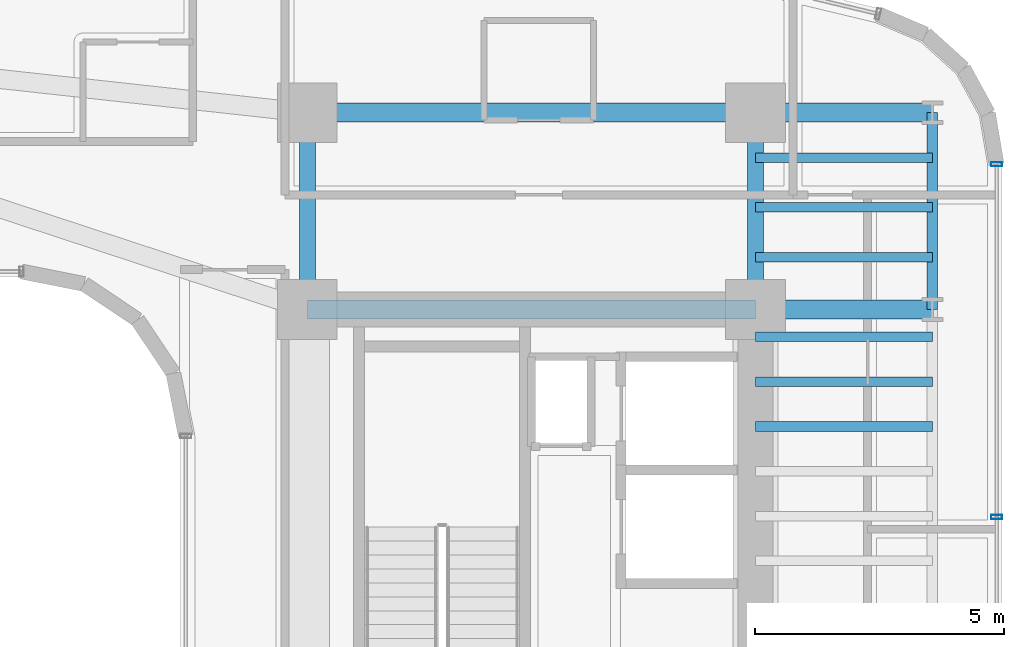
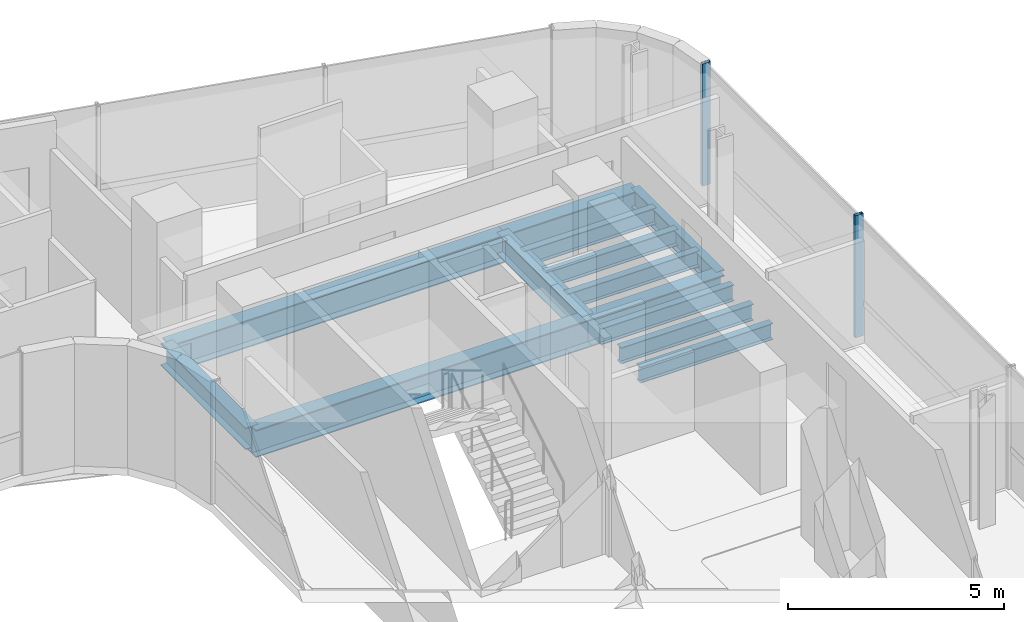
# One storey, part 17 of 35: 13 beams, 2 members, 1 element without a shape of its own.
"""IFC4 building model written with IfcOpenShell, lengths in metres."""

import ifcopenshell
import ifcopenshell.guid

model = None  # the IFC model being written
_history = None  # IfcOwnerHistory: only IFC2X3 demands one
_inside = {}  # id of a spatial element -> (the spatial element, [elements in it])
_under = {}  # id of a project, library or spatial element -> (it, [spatial elements below it])
_declared = {}  # id of a project -> (the project, [libraries it declares])
_typed = {}  # id of a type object -> (the type object, [elements of that type])
_made_of = {}  # id of a material, layer set ... -> (it, [elements and type objects made of it])


def new_model(schema):
    """Start an empty IFC model of exactly this schema.

    Asked for "IFC4X3", IfcOpenShell would pick the latest addendum, in which some entities
    have other attributes; the version numbers below select the first issue.
    IFC2X3 requires an IfcOwnerHistory on every rooted entity: one is made here for all.
    """
    global model, _history
    if schema == "IFC4X3":
        model = ifcopenshell.file(schema_version=(4, 3, 0, 0))
    else:
        model = ifcopenshell.file(schema=schema)
    _inside.clear()
    _under.clear()
    _declared.clear()
    _typed.clear()
    _made_of.clear()
    _history = None
    if model.schema == "IFC2X3":
        org = make("IfcOrganization", Name="unknown")
        user = make(
            "IfcPersonAndOrganization",
            ThePerson=make("IfcPerson", FamilyName="unknown"),
            TheOrganization=org,
        )
        app = make(
            "IfcApplication",
            ApplicationDeveloper=org,
            Version="unknown",
            ApplicationFullName="unknown",
            ApplicationIdentifier="unknown",
        )
        _history = make(
            "IfcOwnerHistory",
            OwningUser=user,
            OwningApplication=app,
            ChangeAction="ADDED",
            CreationDate=0,
        )
    return model


def make(cls, **values):
    """One entity of the class cls with the attributes given. An attribute that is None is left unset."""
    return model.create_entity(
        cls, **{name: value for name, value in values.items() if value is not None}
    )


def rooted(cls, **values):
    """An entity with a GlobalId (a new one), such as an element, a storey or a relation."""
    return make(cls, GlobalId=ifcopenshell.guid.new(), OwnerHistory=_history, **values)


def si_unit(unit_type, name, prefix=None):
    """IfcSIUnit, for example si_unit("LENGTHUNIT", "METRE", prefix="MILLI")."""
    return make("IfcSIUnit", UnitType=unit_type, Prefix=prefix, Name=name)


def assignment(units):
    """IfcUnitAssignment: the units of a project."""
    return None if units is None else make("IfcUnitAssignment", Units=units)


def point(xyz):
    """IfcCartesianPoint."""
    return None if xyz is None else make("IfcCartesianPoint", Coordinates=xyz)


def direction(xyz):
    """IfcDirection."""
    return None if xyz is None else make("IfcDirection", DirectionRatios=xyz)


def frame(location, z_axis=None, x_axis=None):
    """IfcAxis2Placement3D, a coordinate frame: its origin and axes. An axis left out is left unset."""
    return make(
        "IfcAxis2Placement3D",
        Location=point(location),
        Axis=direction(z_axis),
        RefDirection=direction(x_axis),
    )


def frame_2d(location, x_axis=None):
    """IfcAxis2Placement2D, a coordinate frame in the plane: its origin and x axis."""
    return make(
        "IfcAxis2Placement2D", Location=point(location), RefDirection=direction(x_axis)
    )


def origin():
    """The frame at (0, 0, 0) with its axes left unset."""
    return frame((0.0, 0.0, 0.0))


def origin_2d():
    """The frame at (0, 0) in the plane with its x axis left unset."""
    return frame_2d((0.0, 0.0))


def place(relative_to, where):
    """IfcLocalPlacement: puts the frame where relative to a parent placement (None: the world)."""
    return make(
        "IfcLocalPlacement", PlacementRelTo=relative_to, RelativePlacement=where
    )


def context(
    kind, dimensions, precision=None, world=None, true_north=None, identifier=None
):
    """IfcGeometricRepresentationContext, for example the 3D "Model" context."""
    return make(
        "IfcGeometricRepresentationContext",
        ContextIdentifier=identifier,
        ContextType=kind,
        CoordinateSpaceDimension=dimensions,
        Precision=precision,
        WorldCoordinateSystem=world,
        TrueNorth=true_north,
    )


def subcontext(parent, identifier, kind, view, scale=None):
    """IfcGeometricRepresentationSubContext, for example "Body" below "Model"."""
    return make(
        "IfcGeometricRepresentationSubContext",
        ContextIdentifier=identifier,
        ContextType=kind,
        ParentContext=parent,
        TargetScale=scale,
        TargetView=view,
    )


def project(units=None, contexts=None):
    """IfcProject with its units and contexts."""
    return rooted(
        "IfcProject",
        Name="project",
        RepresentationContexts=contexts,
        UnitsInContext=assignment(units),
    )


def spatial(cls, under=None, at=None, **own):
    """A site, building, storey or space (cls), placed at a placement, below another one or the project."""
    s = rooted(cls, ObjectPlacement=at, **own)
    if under is not None:
        _under.setdefault(under.id(), (under, []))[1].append(s)
    return s


def profile(cls, at=None, kind="AREA", **sizes):
    """A parametric profile (cls). Its sizes go by their IFC names, for example OverallWidth=200.0."""
    return make(cls, ProfileType=kind, Position=at, **sizes)


def hollow_rectangle(**sizes):
    """IfcRectangleHollowProfileDef."""
    return profile("IfcRectangleHollowProfileDef", **sizes)


def i_section(**sizes):
    """IfcIShapeProfileDef."""
    return profile("IfcIShapeProfileDef", **sizes)


def extrude(swept, where, along, depth):
    """IfcExtrudedAreaSolid: the profile swept, set in the frame where, extruded along a direction by depth."""
    return make(
        "IfcExtrudedAreaSolid",
        SweptArea=swept,
        Position=where,
        ExtrudedDirection=direction(along),
        Depth=depth,
    )


def shape(context_of_items, identifier, shape_type, items):
    """IfcShapeRepresentation: the items that make up one representation, for example the "Body"."""
    return make(
        "IfcShapeRepresentation",
        ContextOfItems=context_of_items,
        RepresentationIdentifier=identifier,
        RepresentationType=shape_type,
        Items=items,
    )


def source(mapping_origin, context_of_items, identifier, shape_type, items):
    """IfcRepresentationMap: a shape defined once, which mapped items show again and again."""
    return make(
        "IfcRepresentationMap",
        MappingOrigin=mapping_origin,
        MappedRepresentation=shape(context_of_items, identifier, shape_type, items),
    )


def transform(
    local_origin,
    x_axis=None,
    y_axis=None,
    z_axis=None,
    scale=None,
    scale2=None,
    scale3=None,
    uniform=True,
):
    """IfcCartesianTransformationOperator3D, or its non-uniform kind. x_axis, y_axis, z_axis: its Axis1, 2, 3."""
    if uniform:
        return make(
            "IfcCartesianTransformationOperator3D",
            Axis1=direction(x_axis),
            Axis2=direction(y_axis),
            LocalOrigin=point(local_origin),
            Scale=scale,
            Axis3=direction(z_axis),
        )
    return make(
        "IfcCartesianTransformationOperator3DnonUniform",
        Axis1=direction(x_axis),
        Axis2=direction(y_axis),
        LocalOrigin=point(local_origin),
        Scale=scale,
        Axis3=direction(z_axis),
        Scale2=scale2,
        Scale3=scale3,
    )


def mapped(mapping_source, mapping_target):
    """IfcMappedItem: shows the shape of a source again, moved by a transform."""
    return make(
        "IfcMappedItem", MappingSource=mapping_source, MappingTarget=mapping_target
    )


def material(Name=None, Category=None):
    """IfcMaterial."""
    return make("IfcMaterial", Name=Name, Category=Category)


def material_profile(
    of_material, cross_section, Name=None, Category=None, Priority=None
):
    """IfcMaterialProfile: a cross section and its material."""
    return make(
        "IfcMaterialProfile",
        Name=Name,
        Material=of_material,
        Profile=cross_section,
        Priority=Priority,
        Category=Category,
    )


def profile_set(profiles, Name=None, composite=None):
    """IfcMaterialProfileSet."""
    return make(
        "IfcMaterialProfileSet",
        Name=Name,
        MaterialProfiles=profiles,
        CompositeProfile=composite,
    )


def made_of(thing, what):
    """Note that an element or type object is made of a material, layer set ...; save() writes the relation."""
    if what is not None:
        _made_of.setdefault(what.id(), (what, []))[1].append(thing)
    return thing


def type_object(cls, material=None, **own):
    """A type object (cls), such as IfcWallType, which elements share."""
    return made_of(rooted(cls, **own), material)


def element(
    cls,
    number,
    at=None,
    inside=None,
    cuts=None,
    type_object=None,
    material=None,
    context=None,
    identifier="Body",
    shape_type=None,
    held_by="IfcProductDefinitionShape",
    body=None,
    shapes=None,
    **own,
):
    """One element of the class cls, such as IfcWall. Its Tag is "e" and its number.

    at: its placement. inside: the storey or other place that contains it. cuts: it is an
    opening in that element (IfcRelVoidsElement). A single representation is given by context,
    identifier, shape_type and body (its items); several are given by shapes. held_by: the class
    of the entity that holds the representations. save() writes the other relations.
    """
    e = rooted(cls, Tag="e%d" % number, ObjectPlacement=at, **own)
    if body is not None:
        shapes = [shape(context, identifier, shape_type, body)]
    if shapes is not None:
        e.Representation = make(held_by, Representations=shapes)
    if inside is not None:
        _inside.setdefault(inside.id(), (inside, []))[1].append(e)
    if cuts is not None:
        rooted(
            "IfcRelVoidsElement", RelatingBuildingElement=cuts, RelatedOpeningElement=e
        )
    if type_object is not None:
        _typed.setdefault(type_object.id(), (type_object, []))[1].append(e)
    return made_of(e, material)


def aggregate(whole, parts):
    """IfcRelAggregates: a whole, such as a stair, and the parts it consists of."""
    return rooted("IfcRelAggregates", RelatingObject=whole, RelatedObjects=parts)


def save(model, path):
    """Write the relations noted so far, then the file.

    IfcRelAggregates (storeys below a building ...), IfcRelContainedInSpatialStructure (elements
    in a storey), IfcRelDefinesByType, IfcRelAssociatesMaterial and IfcRelDeclares: one each for
    every whole, place, type object, material and project.
    """
    for whole, parts in _under.values():
        aggregate(whole, parts)
    for where, things in _inside.values():
        rooted(
            "IfcRelContainedInSpatialStructure",
            RelatedElements=things,
            RelatingStructure=where,
        )
    for kind, things in _typed.values():
        rooted("IfcRelDefinesByType", RelatedObjects=things, RelatingType=kind)
    for what, things in _made_of.values():
        rooted("IfcRelAssociatesMaterial", RelatedObjects=things, RelatingMaterial=what)
    for by, libraries in _declared.values():
        rooted("IfcRelDeclares", RelatingContext=by, RelatedDefinitions=libraries)
    model.write(path)


model = new_model("IFC4")

# Units and contexts
model_context = context("Model", 3, precision=1e-05, world=origin(), true_north=direction((0.0, 1.0)))
body_context = subcontext(model_context, "Body", "Model", "MODEL_VIEW")
ifc_project = project(units=[si_unit("LENGTHUNIT", "METRE"), si_unit("AREAUNIT", "SQUARE_METRE"), si_unit("VOLUMEUNIT", "CUBIC_METRE"), si_unit("PLANEANGLEUNIT", "RADIAN"), si_unit("MASSUNIT", "GRAM", prefix="KILO")], contexts=[model_context])

# Site, building, storey
site_placement = place(None, origin())
site = spatial("IfcSite", under=ifc_project, at=site_placement, CompositionType="ELEMENT")
building_placement = place(site_placement, origin())
building = spatial("IfcBuilding", under=site, at=building_placement, Name="Valdorenza Pilgrim Sanctuary Tower", CompositionType="ELEMENT")
storey_placement = place(building_placement, frame((0.0, 0.0, 113.10009765625)))
storey = spatial("IfcBuildingStorey", under=building, at=storey_placement, Name="L28", CompositionType="ELEMENT", Elevation=113.10009765625)

# Beams
ifc_material_1 = material(Name="Steel ASTM A992 Grade 50", Category="steel")
ifc_material_profile_1 = material_profile(ifc_material_1, i_section(OverallWidth=0.323974609375, OverallDepth=0.611083984375, WebThickness=0.0126953125, FlangeThickness=0.01904296875, at=origin_2d()), Name="W24X104")
ifc_profile_set_1 = profile_set([ifc_material_profile_1], Name="Steel ASTM A992 Grade 50")
beam_type_1 = type_object("IfcBeamType", Name="STR-BM-GRD-W24B", PredefinedType="BEAM", material=ifc_profile_set_1)
shared_shape_1 = source(origin(), body_context, "Body", "SweptSolid", [
    extrude(i_section(OverallWidth=0.323974609375, OverallDepth=0.611083984375, WebThickness=0.0126953125, FlangeThickness=0.01904296875, at=origin_2d()), origin(), (0.0, 0.0, 1.0), 3.949951171875),
])
for number, where, z_axis, x_axis, name in (
    (1, (15.85009765625, 9.550048828125, -0.545654296875), (0.0, 1.0, 0.0), (-1.0, 0.0, 0.0), "L28 Core Tie Girder CB-W-N1N2"),
    (2, (24.85009765625, 9.550048828125, -0.545654296875), (0.0, 1.0, 0.0), (-1.0, 0.0, 0.0), "L28 Core Tie Girder CB-E-N1N2"),
):
    element("IfcBeam", number, at=place(storey_placement, frame(where, z_axis=z_axis, x_axis=x_axis)), inside=storey, type_object=beam_type_1, Name=name, PredefinedType="BEAM", context=body_context, shape_type="MappedRepresentation", body=[
        mapped(shared_shape_1, transform((0.0, 0.0, 0.0), x_axis=(1.0, 0.0, 0.0), y_axis=(0.0, 1.0, 0.0), z_axis=(0.0, 0.0, 1.0), scale=1.0)),
    ])
ifc_material_profile_2 = material_profile(ifc_material_1, i_section(OverallWidth=0.214111328125, OverallDepth=0.549072265625, WebThickness=0.0146484375, FlangeThickness=0.023681640625, at=origin_2d()), Name="W21X93")
ifc_profile_set_2 = profile_set([ifc_material_profile_2], Name="Steel ASTM A992 Grade 50")
beam_type_2 = type_object("IfcBeamType", Name="STR-BM-SPN-W21A", PredefinedType="SPANDREL", material=ifc_profile_set_2)
shared_shape_2 = source(origin(), body_context, "Body", "SweptSolid", [
    extrude(i_section(OverallWidth=0.214111328125, OverallDepth=0.549072265625, WebThickness=0.0146484375, FlangeThickness=0.023681640625, at=origin_2d()), origin(), (0.0, 0.0, 1.0), 3.949951171875),
])
beam_placement = place(storey_placement, frame((28.39990234375, 9.550048828125, -0.5146484375), z_axis=(0.0, 1.0, 0.0), x_axis=(-1.0, 0.0, 0.0)))
element("IfcBeam", 3, at=beam_placement, inside=storey, type_object=beam_type_2, Name="L28 Spandrel Beam WB-E-N1N2", PredefinedType="SPANDREL", context=body_context, shape_type="MappedRepresentation", body=[
    mapped(shared_shape_2, transform((0.0, 0.0, 0.0), x_axis=(1.0, 0.0, 0.0), y_axis=(0.0, 1.0, 0.0), z_axis=(0.0, 0.0, 1.0), scale=1.0)),
])
ifc_material_profile_3 = material_profile(ifc_material_1, i_section(OverallWidth=0.382080078125, OverallDepth=0.779052734375, WebThickness=0.01806640625, FlangeThickness=0.030029296875, at=origin_2d()), Name="W30X191")
ifc_profile_set_3 = profile_set([ifc_material_profile_3], Name="Steel ASTM A992 Grade 50")
beam_type_3 = type_object("IfcBeamType", Name="STR-BM-GRD-W30", PredefinedType="BEAM", material=ifc_profile_set_3)
shared_shape_3 = source(origin(), body_context, "Body", "SweptSolid", [
    extrude(i_section(OverallWidth=0.382080078125, OverallDepth=0.779052734375, WebThickness=0.01806640625, FlangeThickness=0.030029296875, at=origin_2d()), origin(), (0.0, 0.0, 1.0), 9.0),
])
for number, where, z_axis, x_axis, name in (
    (4, (15.85009765625, 9.550048828125, -0.629638671875), (1.0, 0.0, 0.0), (0.0, 1.0, 0.0), "L28 Floor Girder CB-XC-N1"),
    (5, (15.85009765625, 13.5, -0.629638671875), (1.0, 0.0, 0.0), (0.0, 1.0, 0.0), "L28 Floor Girder CB-XC-N2"),
):
    element("IfcBeam", number, at=place(storey_placement, frame(where, z_axis=z_axis, x_axis=x_axis)), inside=storey, type_object=beam_type_3, Name=name, PredefinedType="BEAM", context=body_context, shape_type="MappedRepresentation", body=[
        mapped(shared_shape_3, transform((0.0, 0.0, 0.0), x_axis=(1.0, 0.0, 0.0), y_axis=(0.0, 1.0, 0.0), z_axis=(0.0, 0.0, 1.0), scale=1.0)),
    ])
shared_shape_4 = source(origin(), body_context, "Body", "SweptSolid", [
    extrude(i_section(OverallWidth=0.382080078125, OverallDepth=0.779052734375, WebThickness=0.01806640625, FlangeThickness=0.030029296875, at=origin_2d()), origin(), (0.0, 0.0, 1.0), 3.5498046875),
])
for number, where, z_axis, x_axis, name in (
    (6, (24.85009765625, 9.550048828125, -0.629638671875), (1.0, 0.0, 0.0), (0.0, 1.0, 0.0), "L28 Floor Girder WB-XE-N1"),
    (7, (24.85009765625, 13.5, -0.629638671875), (1.0, 0.0, 0.0), (0.0, 1.0, 0.0), "L28 Floor Girder WB-XE-N2"),
):
    element("IfcBeam", number, at=place(storey_placement, frame(where, z_axis=z_axis, x_axis=x_axis)), inside=storey, type_object=beam_type_3, Name=name, PredefinedType="BEAM", context=body_context, shape_type="MappedRepresentation", body=[
        mapped(shared_shape_4, transform((0.0, 0.0, 0.0), x_axis=(1.0, 0.0, 0.0), y_axis=(0.0, 1.0, 0.0), z_axis=(0.0, 0.0, 1.0), scale=1.0)),
    ])
ifc_material_profile_4 = material_profile(ifc_material_1, i_section(OverallWidth=0.19091796875, OverallDepth=0.45703125, WebThickness=0.009033203125, FlangeThickness=0.014404296875, at=origin_2d()), Name="W18X50")
ifc_profile_set_4 = profile_set([ifc_material_profile_4], Name="Steel ASTM A992 Grade 50")
beam_type_4 = type_object("IfcBeamType", Name="STR-BM-JST-W18B", PredefinedType="JOIST", material=ifc_profile_set_4)
shared_shape_5 = source(origin(), body_context, "Body", "SweptSolid", [
    extrude(i_section(OverallWidth=0.19091796875, OverallDepth=0.45703125, WebThickness=0.009033203125, FlangeThickness=0.014404296875, at=origin_2d()), origin(), (0.0, 0.0, 1.0), 3.5498046875),
])
for number, where, z_axis, x_axis, name in (
    (8, (24.85009765625, 7.199951171875, -0.468505859375), (1.0, 0.0, 0.0), (0.0, 1.0, 0.0), "L28 Composite Floor Joist JST-WB-16"),
    (9, (24.85009765625, 8.10009765625, -0.468505859375), (1.0, 0.0, 0.0), (0.0, 1.0, 0.0), "L28 Composite Floor Joist JST-WB-17"),
    (10, (24.85009765625, 9.0, -0.468505859375), (1.0, 0.0, 0.0), (0.0, 1.0, 0.0), "L28 Composite Floor Joist JST-WB-18"),
    (11, (24.85009765625, 10.60009765625, -0.468505859375), (1.0, 0.0, 0.0), (0.0, 1.0, 0.0), "L28 Composite Floor Joist JST-WB-19"),
    (12, (24.85009765625, 11.60009765625, -0.468505859375), (1.0, 0.0, 0.0), (0.0, 1.0, 0.0), "L28 Composite Floor Joist JST-WB-20"),
    (13, (24.85009765625, 12.60009765625, -0.468505859375), (1.0, 0.0, 0.0), (0.0, 1.0, 0.0), "L28 Composite Floor Joist JST-WB-21"),
):
    element("IfcBeam", number, at=place(storey_placement, frame(where, z_axis=z_axis, x_axis=x_axis)), inside=storey, type_object=beam_type_4, Name=name, PredefinedType="JOIST", context=body_context, shape_type="MappedRepresentation", body=[
        mapped(shared_shape_5, transform((0.0, 0.0, 0.0), x_axis=(1.0, 0.0, 0.0), y_axis=(0.0, 1.0, 0.0), z_axis=(0.0, 0.0, 1.0), scale=1.0)),
    ])

# Curtain wall, members
ifc_material_2 = material(Name="Curtain-wall IGU glazing", Category="glass")
curtain_wall_type = type_object("IfcCurtainWallType", Name="CW-SYS-03", PredefinedType="NOTDEFINED", material=ifc_material_2)
curtain_wall_placement = place(storey_placement, origin())
curtain_wall = element("IfcCurtainWall", 14, at=curtain_wall_placement, inside=storey, type_object=curtain_wall_type, Name="L28 Curtain Wall CW-L28-1-21", PredefinedType="NOTDEFINED")
ifc_material_3 = material(Name="Anodised aluminium AW-6060", Category="aluminium")
ifc_material_profile_5 = material_profile(ifc_material_3, hollow_rectangle(XDim=0.0849609375, YDim=0.219970703125, WallThickness=0.0048828125, at=origin_2d()), Name="ALU-M 220x85x5")
ifc_profile_set_5 = profile_set([ifc_material_profile_5], Name="Anodised aluminium AW-6060")
member_type = type_object("IfcMemberType", Name="CW-MUL-03", PredefinedType="MULLION", material=ifc_profile_set_5)
shared_shape_6 = source(origin(), body_context, "Body", "SweptSolid", [
    extrude(hollow_rectangle(XDim=0.0849609375, YDim=0.219970703125, WallThickness=0.0048828125, at=origin_2d()), origin(), (0.0, 0.0, 1.0), 3.4599609375),
])
member_1_placement = place(storey_placement, frame((29.68994140625, 12.46630859375, 0.0), z_axis=(0.0, 0.0, 1.0), x_axis=(0.0, -1.0, 0.0)))
member_1 = element("IfcMember", 15, at=member_1_placement, type_object=member_type, Name="CW-L28-1-21 Mullion 1", PredefinedType="MULLION", context=body_context, shape_type="MappedRepresentation", body=[
    mapped(shared_shape_6, transform((0.0, 0.0, 0.0), x_axis=(1.0, 0.0, 0.0), y_axis=(0.0, 1.0, 0.0), z_axis=(0.0, 0.0, 1.0), scale=1.0)),
])
member_2_placement = place(storey_placement, frame((29.68994140625, 5.381103515625, 0.0), z_axis=(0.0, 0.0, 1.0), x_axis=(0.0, -1.0, 0.0)))
member_2 = element("IfcMember", 16, at=member_2_placement, type_object=member_type, Name="CW-L28-1-21 Mullion 2", PredefinedType="MULLION", context=body_context, shape_type="MappedRepresentation", body=[
    mapped(shared_shape_6, transform((0.0, 0.0, 0.0), x_axis=(1.0, 0.0, 0.0), y_axis=(0.0, 1.0, 0.0), z_axis=(0.0, 0.0, 1.0), scale=1.0)),
])
aggregate(curtain_wall, [member_1, member_2])

save(model, "model.ifc")
